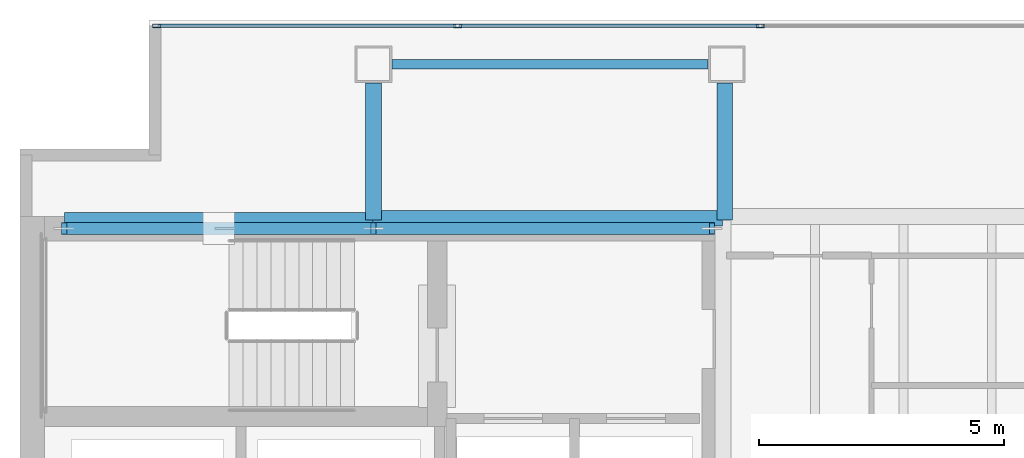
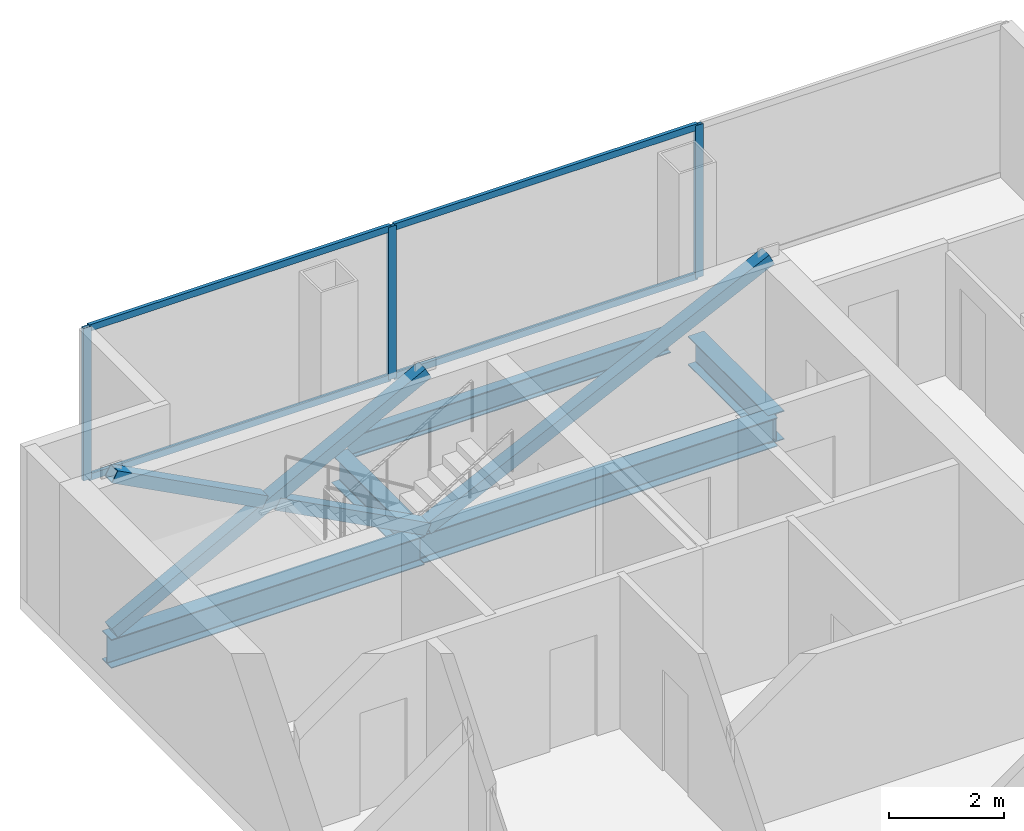
# One storey, part 17 of 23: 11 members, 5 beams, 1 element without a shape of its own.
"""IFC4 building model written with IfcOpenShell, lengths in metres."""

from ifc_helpers import new_model, si_unit, direction, frame, origin, origin_2d, place, context, subcontext, project, spatial, hollow_rectangle, i_section, extrude, material, material_profile, profile_set, type_object, element, aggregate, save


model = new_model("IFC4")

# Units and contexts
model_context = context("Model", 3, precision=1e-05, world=origin(), true_north=direction((0.0, 1.0)))
body_context = subcontext(model_context, "Body", "Model", "MODEL_VIEW")
ifc_project = project(units=[si_unit("LENGTHUNIT", "METRE"), si_unit("AREAUNIT", "SQUARE_METRE"), si_unit("VOLUMEUNIT", "CUBIC_METRE"), si_unit("PLANEANGLEUNIT", "RADIAN"), si_unit("MASSUNIT", "GRAM", prefix="KILO")], contexts=[model_context])

# Site, building, storey
site_placement = place(None, origin())
site = spatial("IfcSite", under=ifc_project, at=site_placement, CompositionType="ELEMENT")
building_placement = place(site_placement, origin())
building = spatial("IfcBuilding", under=site, at=building_placement, Name="Cobrela Telecom Tower", CompositionType="ELEMENT")
storey_placement = place(building_placement, frame((0.0, 0.0, 208.25)))
storey = spatial("IfcBuildingStorey", under=building, at=storey_placement, Name="L53", CompositionType="ELEMENT", Elevation=208.25)

# Beams
ifc_material_1 = material(Name="Steel ASTM A992 Grade 50", Category="steel")
ifc_material_profile_1 = material_profile(ifc_material_1, i_section(OverallWidth=0.324951171875, OverallDepth=0.612060546875, WebThickness=0.0126953125, FlangeThickness=0.01904296875, FilletRadius=0.014892578125, at=origin_2d()), Name="W24X104")
ifc_profile_set_1 = profile_set([ifc_material_profile_1], Name="Steel ASTM A992 Grade 50")
beam_type_1 = type_object("IfcBeamType", Name="BM-GIRD-07", PredefinedType="USERDEFINED", material=ifc_profile_set_1)
beam_1_placement = place(storey_placement, frame((0.905029296875, 35.919921875, -0.56591796875), z_axis=(1.0, 0.0, 0.0), x_axis=(0.0, 1.0, 0.0)))
element("IfcBeam", 1, at=beam_1_placement, inside=storey, type_object=beam_type_1, Name="L53 Primary Girder X20", ObjectType="GIRDER", PredefinedType="USERDEFINED", context=body_context, shape_type="SweptSolid", body=[
    extrude(i_section(OverallWidth=0.324951171875, OverallDepth=0.612060546875, WebThickness=0.0126953125, FlangeThickness=0.01904296875, FilletRadius=0.014892578125, at=origin_2d()), origin(), (0.0, 0.0, 1.0), 6.2900390625),
])
beam_2_placement = place(storey_placement, frame((7.205078125, 35.9599609375, -0.56591796875), z_axis=(1.0, 0.0, 0.0), x_axis=(0.0, 1.0, 0.0)))
element("IfcBeam", 2, at=beam_2_placement, inside=storey, type_object=beam_type_1, Name="L53 Primary Girder X21", ObjectType="GIRDER", PredefinedType="USERDEFINED", context=body_context, shape_type="SweptSolid", body=[
    extrude(i_section(OverallWidth=0.324951171875, OverallDepth=0.612060546875, WebThickness=0.0126953125, FlangeThickness=0.01904296875, FilletRadius=0.014892578125, at=origin_2d()), origin(), (0.0, 0.0, 1.0), 7.10986328125),
])
for number, where, z_axis, x_axis, name in (
    (3, (7.199951171875, 35.925048828125, -0.56591796875), (0.0, 1.0, 0.0), (-1.0, 0.0, 0.0), "L53 Primary Girder Y25"),
    (4, (14.360107421875, 35.925048828125, -0.56591796875), (0.0, 1.0, 0.0), (-1.0, 0.0, 0.0), "L53 Primary Girder Y31"),
):
    element("IfcBeam", number, at=place(storey_placement, frame(where, z_axis=z_axis, x_axis=x_axis)), inside=storey, type_object=beam_type_1, Name=name, ObjectType="GIRDER", PredefinedType="USERDEFINED", context=body_context, shape_type="SweptSolid", body=[
        extrude(i_section(OverallWidth=0.324951171875, OverallDepth=0.612060546875, WebThickness=0.0126953125, FlangeThickness=0.01904296875, FilletRadius=0.014892578125, at=origin_2d()), origin(), (0.0, 0.0, 1.0), 2.794921875),
    ])
ifc_material_profile_2 = material_profile(ifc_material_1, i_section(OverallWidth=0.193115234375, OverallDepth=0.467041015625, WebThickness=0.011474609375, FlangeThickness=0.01904296875, FilletRadius=0.012939453125, at=origin_2d()), Name="W18X65")
ifc_profile_set_2 = profile_set([ifc_material_profile_2], Name="Steel ASTM A992 Grade 50")
beam_type_2 = type_object("IfcBeamType", Name="BM-SPAND-05", PredefinedType="SPANDREL", material=ifc_profile_set_2)
beam_3_placement = place(storey_placement, frame((7.580078125, 39.10009765625, -0.493408203125), z_axis=(1.0, 0.0, 0.0), x_axis=(0.0, 1.0, 0.0)))
element("IfcBeam", 5, at=beam_3_placement, inside=storey, type_object=beam_type_2, Name="L53 Perimeter Spandrel X23", PredefinedType="SPANDREL", context=body_context, shape_type="SweptSolid", body=[
    extrude(i_section(OverallWidth=0.193115234375, OverallDepth=0.467041015625, WebThickness=0.011474609375, FlangeThickness=0.01904296875, FilletRadius=0.012939453125, at=origin_2d()), origin(), (0.0, 0.0, 1.0), 6.43994140625),
])

# Curtain wall, members
ifc_material_2 = material(Name="Anodized Bronze Aluminium 6063-T6", Category="aluminium")
curtain_wall_type = type_object("IfcCurtainWallType", Name="CW-SYS-OFF-LO", PredefinedType="USERDEFINED", material=ifc_material_2)
curtain_wall_placement = place(storey_placement, origin())
curtain_wall = element("IfcCurtainWall", 6, at=curtain_wall_placement, inside=storey, type_object=curtain_wall_type, Name="L53 Unitised Bronze Curtain Wall 07", ObjectType="UNITISED CURTAIN WALL", PredefinedType="USERDEFINED")
ifc_material_profile_3 = material_profile(ifc_material_2, hollow_rectangle(XDim=0.070068359375, YDim=0.159912109375, WallThickness=0.00390625, at=origin_2d()), Name="ALU 70x160x4")
ifc_profile_set_3 = profile_set([ifc_material_profile_3], Name="Anodized Bronze Aluminium 6063-T6")
member_type_1 = type_object("IfcMemberType", Name="CW-SYS-OFF-LO-MUL", PredefinedType="MULLION", material=ifc_profile_set_3)
member_1_placement = place(storey_placement, frame((2.784912109375, 39.8798828125, 0.0), z_axis=(0.0, 0.0, 1.0), x_axis=(0.0, 1.0, 0.0)))
member_1 = element("IfcMember", 7, at=member_1_placement, type_object=member_type_1, Name="CW-OFF-LO mullion 1", PredefinedType="MULLION", context=body_context, shape_type="SweptSolid", body=[
    extrude(hollow_rectangle(XDim=0.070068359375, YDim=0.159912109375, WallThickness=0.00390625, at=origin_2d()), origin(), (0.0, 0.0, 1.0), 3.239990234375),
])
member_2_placement = place(storey_placement, frame((8.916748046875, 39.8798828125, 0.0), z_axis=(0.0, 0.0, 1.0), x_axis=(0.0, 1.0, 0.0)))
member_2 = element("IfcMember", 8, at=member_2_placement, type_object=member_type_1, Name="CW-OFF-LO mullion 2", PredefinedType="MULLION", context=body_context, shape_type="SweptSolid", body=[
    extrude(hollow_rectangle(XDim=0.070068359375, YDim=0.159912109375, WallThickness=0.00390625, at=origin_2d()), origin(), (0.0, 0.0, 1.0), 3.239990234375),
])
member_3_placement = place(storey_placement, frame((15.083251953125, 39.8798828125, 0.0), z_axis=(0.0, 0.0, 1.0), x_axis=(0.0, 1.0, 0.0)))
member_3 = element("IfcMember", 9, at=member_3_placement, type_object=member_type_1, Name="CW-OFF-LO mullion 3", PredefinedType="MULLION", context=body_context, shape_type="SweptSolid", body=[
    extrude(hollow_rectangle(XDim=0.070068359375, YDim=0.159912109375, WallThickness=0.00390625, at=origin_2d()), origin(), (0.0, 0.0, 1.0), 3.239990234375),
])
ifc_material_profile_4 = material_profile(ifc_material_2, hollow_rectangle(XDim=0.070068359375, YDim=0.139892578125, WallThickness=0.00390625, at=origin_2d()), Name="ALU 70x140x4")
ifc_profile_set_4 = profile_set([ifc_material_profile_4], Name="Anodized Bronze Aluminium 6063-T6")
member_type_2 = type_object("IfcMemberType", Name="CW-SYS-OFF-LO-TRN", PredefinedType="USERDEFINED", material=ifc_profile_set_4)
member_4_placement = place(storey_placement, frame((2.820068359375, 39.8798828125, 0.034912109375), z_axis=(1.0, 0.0, 0.0), x_axis=(0.0, 1.0, 0.0)))
member_4 = element("IfcMember", 10, at=member_4_placement, type_object=member_type_2, Name="CW-OFF-LO transom 1.1", ObjectType="TRANSOM", PredefinedType="USERDEFINED", context=body_context, shape_type="SweptSolid", body=[
    extrude(hollow_rectangle(XDim=0.070068359375, YDim=0.139892578125, WallThickness=0.00390625, at=origin_2d()), origin(), (0.0, 0.0, 1.0), 6.0615234375),
])
member_5_placement = place(storey_placement, frame((2.820068359375, 39.8798828125, 3.205078125), z_axis=(1.0, 0.0, 0.0), x_axis=(0.0, 1.0, 0.0)))
member_5 = element("IfcMember", 11, at=member_5_placement, type_object=member_type_2, Name="CW-OFF-LO transom 1.2", ObjectType="TRANSOM", PredefinedType="USERDEFINED", context=body_context, shape_type="SweptSolid", body=[
    extrude(hollow_rectangle(XDim=0.070068359375, YDim=0.139892578125, WallThickness=0.00390625, at=origin_2d()), origin(), (0.0, 0.0, 1.0), 6.0615234375),
])
member_6_placement = place(storey_placement, frame((8.95166015625, 39.8798828125, 0.034912109375), z_axis=(1.0, 0.0, 0.0), x_axis=(0.0, 1.0, 0.0)))
member_6 = element("IfcMember", 12, at=member_6_placement, type_object=member_type_2, Name="CW-OFF-LO transom 2.1", ObjectType="TRANSOM", PredefinedType="USERDEFINED", context=body_context, shape_type="SweptSolid", body=[
    extrude(hollow_rectangle(XDim=0.070068359375, YDim=0.139892578125, WallThickness=0.00390625, at=origin_2d()), origin(), (0.0, 0.0, 1.0), 6.0966796875),
])
member_7_placement = place(storey_placement, frame((8.95166015625, 39.8798828125, 3.205078125), z_axis=(1.0, 0.0, 0.0), x_axis=(0.0, 1.0, 0.0)))
member_7 = element("IfcMember", 13, at=member_7_placement, type_object=member_type_2, Name="CW-OFF-LO transom 2.2", ObjectType="TRANSOM", PredefinedType="USERDEFINED", context=body_context, shape_type="SweptSolid", body=[
    extrude(hollow_rectangle(XDim=0.070068359375, YDim=0.139892578125, WallThickness=0.00390625, at=origin_2d()), origin(), (0.0, 0.0, 1.0), 6.0966796875),
])
aggregate(curtain_wall, [member_1, member_2, member_3, member_4, member_5, member_6, member_7])

# Members
ifc_material_3 = material(Name="Steel ASTM A572 Grade 50", Category="steel")
ifc_material_profile_5 = material_profile(ifc_material_3, hollow_rectangle(XDim=0.25, YDim=0.25, WallThickness=0.013916015625, at=origin_2d()), Name="HSS 250x250x14")
ifc_profile_set_5 = profile_set([ifc_material_profile_5], Name="Steel ASTM A572 Grade 50")
member_type_3 = type_object("IfcMemberType", Name="MBR-EXO-04", PredefinedType="BRACE", material=ifc_profile_set_5)
member_8_placement = place(storey_placement, frame((0.89990234375, 35.75, -0.0400390625), z_axis=(0.884671945606, 0.0, 0.466214058837), x_axis=(0.0, 1.0, 0.0)))
element("IfcMember", 14, at=member_8_placement, inside=storey, type_object=member_type_3, Name="L53 Core Flange Steel X-Brace Continuous A", PredefinedType="BRACE", context=body_context, shape_type="SweptSolid", body=[
    extrude(hollow_rectangle(XDim=0.25, YDim=0.25, WallThickness=0.013916015625, at=origin_2d()), origin(), (0.0, 0.0, 1.0), 7.121337890625),
])
for number, where, z_axis, x_axis, name in (
    (15, (7.199951171875, 35.75, -0.0400390625), (-0.884673479945, 0.0, 0.466211147317), (0.0, -1.0, 0.0), "L53 Core Flange Steel X-Brace Split B1"),
    (16, (3.926025390625, 35.75, 1.685302734375), (-0.884673479945, 0.0, 0.466211147317), (0.0, -1.0, 0.0), "L53 Core Flange Steel X-Brace Split B2"),
):
    element("IfcMember", number, at=place(storey_placement, frame(where, z_axis=z_axis, x_axis=x_axis)), inside=storey, type_object=member_type_3, Name=name, PredefinedType="BRACE", context=body_context, shape_type="SweptSolid", body=[
        extrude(hollow_rectangle(XDim=0.25, YDim=0.25, WallThickness=0.013916015625, at=origin_2d()), origin(), (0.0, 0.0, 1.0), 3.420654296875),
    ])
member_9_placement = place(storey_placement, frame((7.199951171875, 35.75, -0.0400390625), z_axis=(0.901115182893, 0.0, 0.43357978177), x_axis=(0.0, 1.0, 0.0)))
element("IfcMember", 17, at=member_9_placement, inside=storey, type_object=member_type_3, Name="L53 Core Flange Steel Brace N2", PredefinedType="BRACE", context=body_context, shape_type="SweptSolid", body=[
    extrude(hollow_rectangle(XDim=0.25, YDim=0.25, WallThickness=0.013916015625, at=origin_2d()), origin(), (0.0, 0.0, 1.0), 7.6572265625),
])

save(model, "model.ifc")
